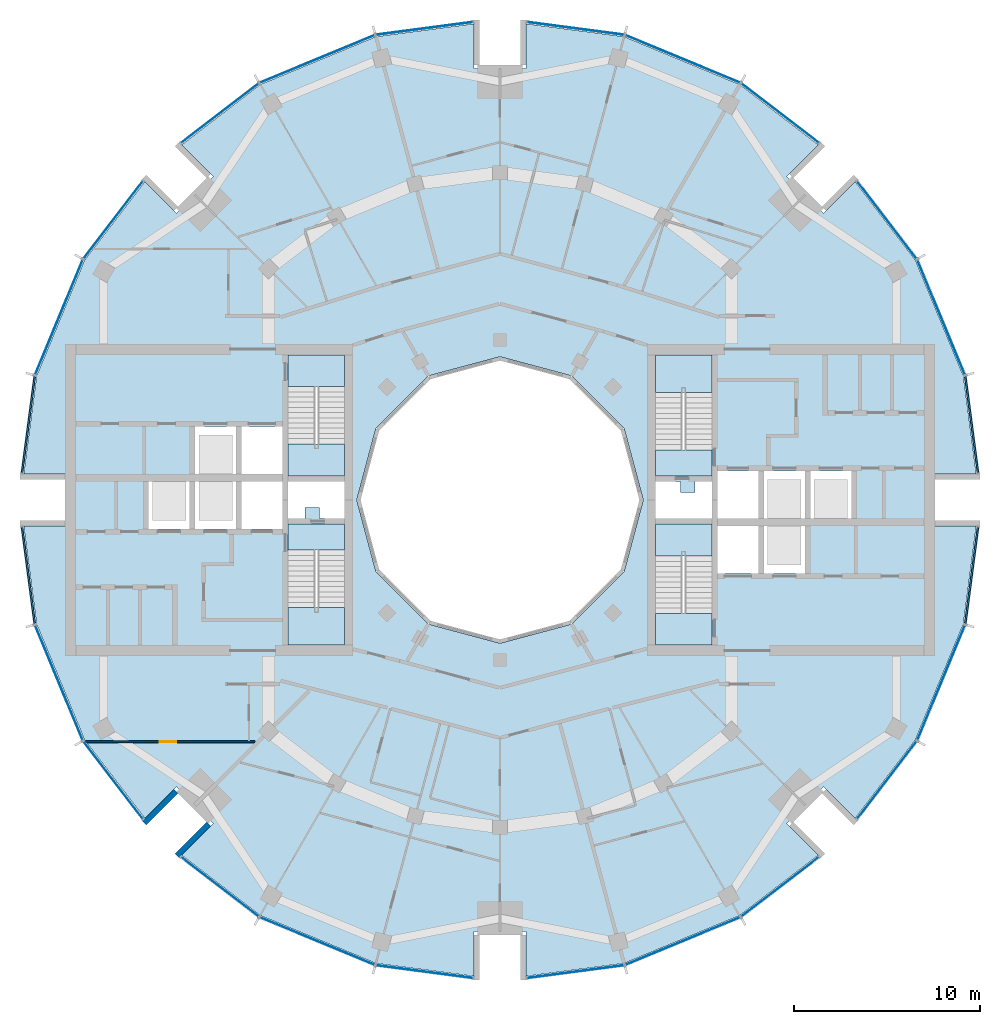
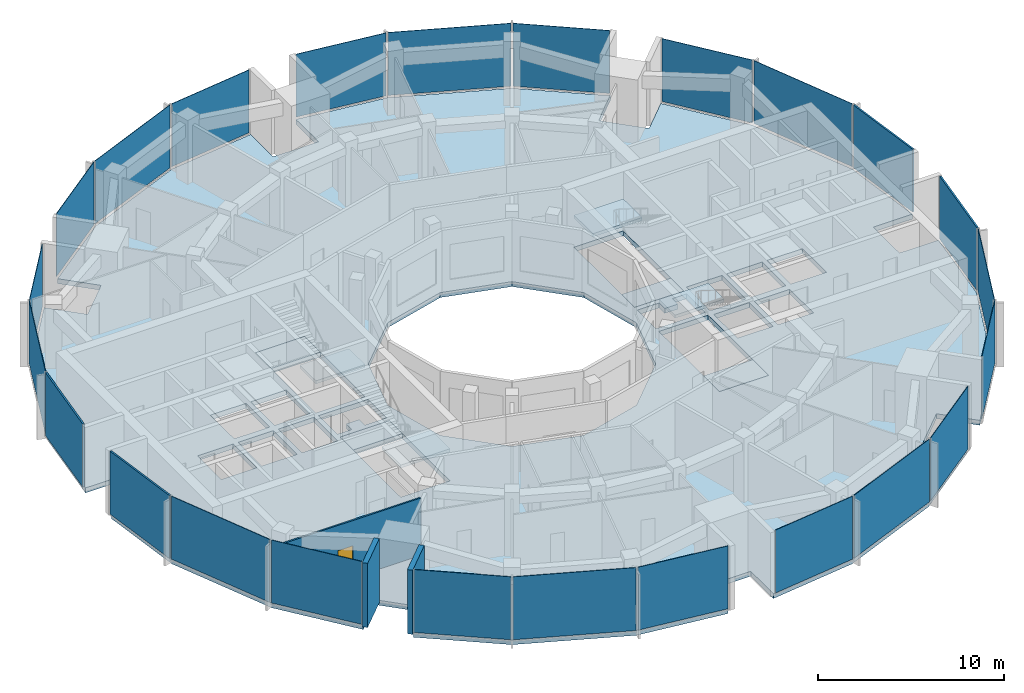
# One storey, part 7 of 15: 24 plates, 9 slabs, 3 walls, 1 door, 1 opening, 28 elements without a shape of their own.
"""IFC4 building model written with IfcOpenShell, lengths in metres."""

from ifc_helpers import new_model, si_unit, direction, frame, frame_2d, origin, origin_2d, place, context, subcontext, project, spatial, polyline, rectangle, outline, extrude, material, layer, layer_set, type_object, element, fill, aggregate, save


model = new_model("IFC4")

# Units and contexts
model_context = context("Model", 3, precision=1e-05, world=origin(), true_north=direction((0.0, 1.0)))
body_context = subcontext(model_context, "Body", "Model", "MODEL_VIEW")
ifc_project = project(units=[si_unit("LENGTHUNIT", "METRE"), si_unit("AREAUNIT", "SQUARE_METRE"), si_unit("VOLUMEUNIT", "CUBIC_METRE"), si_unit("PLANEANGLEUNIT", "RADIAN"), si_unit("MASSUNIT", "GRAM", prefix="KILO")], contexts=[model_context])

# Site, building, storey
site_placement = place(None, origin())
site = spatial("IfcSite", under=ifc_project, at=site_placement, CompositionType="ELEMENT")
building_placement = place(site_placement, origin())
building = spatial("IfcBuilding", under=site, at=building_placement, Name="Torre Brocal", CompositionType="ELEMENT")
storey_placement = place(building_placement, frame((0.0, 0.0, 258.300048828125)))
storey = spatial("IfcBuildingStorey", under=building, at=storey_placement, Name="L59", CompositionType="ELEMENT", Elevation=258.300048828125)

# Curtain wall, plate
ifc_material_1 = material(Name="Aluminium and glass", Category="aluminium")
ifc_layer_1 = layer(ifc_material_1, 0.199951171875)
ifc_layer_set_1 = layer_set([ifc_layer_1], Name="Aluminium and glass")
curtain_wall_type_1 = type_object("IfcCurtainWallType", Name="CW-1 CURTAIN WALL 4200 HIGH", PredefinedType="NOTDEFINED", material=ifc_layer_set_1)
curtain_wall_1_placement = place(storey_placement, origin())
curtain_wall_1 = element("IfcCurtainWall", 1, at=curtain_wall_1_placement, inside=storey, type_object=curtain_wall_type_1, Name="CW-1 RUN 2", PredefinedType="NOTDEFINED")
ifc_material_2 = material(Name="Glass, dark tinted laminated", Category="glass")
ifc_layer_2 = layer(ifc_material_2, 0.031982421875)
ifc_layer_set_2 = layer_set([ifc_layer_2], Name="Glass, dark tinted laminated")
plate_type_1 = type_object("IfcPlateType", Name="CW-1 GLASS PANEL 32", PredefinedType="CURTAIN_PANEL", material=ifc_layer_set_2)
plate_1_placement = place(storey_placement, frame((103.722900390625, 84.826416015625, 0.079833984375), z_axis=(0.0, 0.0, 1.0), x_axis=(-0.382683432333, 0.923879532525, 0.0)))
plate_1 = element("IfcPlate", 2, at=plate_1_placement, type_object=plate_type_1, Name="CW1-5 panel 1.1", PredefinedType="CURTAIN_PANEL", context=body_context, shape_type="SweptSolid", body=[
    extrude(rectangle(XDim=6.64111328125, YDim=0.031982421875, at=origin_2d()), origin(), (0.0, 0.0, 1.0), 4.1201171875),
])
aggregate(curtain_wall_1, [plate_1])

curtain_wall_2_placement = place(storey_placement, origin())
curtain_wall_2 = element("IfcCurtainWall", 3, at=curtain_wall_2_placement, inside=storey, type_object=curtain_wall_type_1, Name="CW-1 RUN 3", PredefinedType="NOTDEFINED")
plate_2_placement = place(storey_placement, frame((100.80126953125, 90.0712890625, 0.079833984375), z_axis=(0.0, 0.0, 1.0), x_axis=(-0.60876142905, 0.793353340259, 0.0)))
plate_2 = element("IfcPlate", 4, at=plate_2_placement, type_object=plate_type_1, Name="CW1-5 panel 1.1", PredefinedType="CURTAIN_PANEL", context=body_context, shape_type="SweptSolid", body=[
    extrude(rectangle(XDim=5.22900390625, YDim=0.031982421875, at=origin_2d()), origin(), (0.0, 0.0, 1.0), 4.1201171875),
])
aggregate(curtain_wall_2, [plate_2])

curtain_wall_3_placement = place(storey_placement, origin())
curtain_wall_3 = element("IfcCurtainWall", 5, at=curtain_wall_3_placement, inside=storey, type_object=curtain_wall_type_1, Name="CW-1 RUN 4", PredefinedType="NOTDEFINED")
plate_3_placement = place(storey_placement, frame((95.0712890625, 95.80126953125, 0.079833984375), z_axis=(0.0, 0.0, 1.0), x_axis=(-0.793353340259, 0.60876142905, 0.0)))
plate_3 = element("IfcPlate", 6, at=plate_3_placement, type_object=plate_type_1, Name="CW1-5 panel 1.1", PredefinedType="CURTAIN_PANEL", context=body_context, shape_type="SweptSolid", body=[
    extrude(rectangle(XDim=5.22900390625, YDim=0.031982421875, at=origin_2d()), origin(), (0.0, 0.0, 1.0), 4.1201171875),
])
aggregate(curtain_wall_3, [plate_3])

curtain_wall_4_placement = place(storey_placement, origin())
curtain_wall_4 = element("IfcCurtainWall", 7, at=curtain_wall_4_placement, inside=storey, type_object=curtain_wall_type_1, Name="CW-1 RUN 5", PredefinedType="NOTDEFINED")
plate_4_placement = place(storey_placement, frame((89.826416015625, 98.722900390625, 0.079833984375), z_axis=(0.0, 0.0, 1.0), x_axis=(-0.923879532525, 0.382683432333, 0.0)))
plate_4 = element("IfcPlate", 8, at=plate_4_placement, type_object=plate_type_1, Name="CW1-5 panel 1.1", PredefinedType="CURTAIN_PANEL", context=body_context, shape_type="SweptSolid", body=[
    extrude(rectangle(XDim=6.64111328125, YDim=0.031982421875, at=origin_2d()), origin(), (0.0, 0.0, 1.0), 4.1201171875),
])
aggregate(curtain_wall_4, [plate_4])

curtain_wall_5_placement = place(storey_placement, origin())
curtain_wall_5 = element("IfcCurtainWall", 9, at=curtain_wall_5_placement, inside=storey, type_object=curtain_wall_type_1, Name="CW-1 RUN 6", PredefinedType="NOTDEFINED")
plate_5_placement = place(storey_placement, frame((84.051513671875, 100.36572265625, 0.079833984375), z_axis=(0.0, 0.0, 1.0), x_axis=(-0.991444861374, 0.13052619222, 0.0)))
plate_5 = element("IfcPlate", 10, at=plate_5_placement, type_object=plate_type_1, Name="CW1-5 panel 1.1", PredefinedType="CURTAIN_PANEL", context=body_context, shape_type="SweptSolid", body=[
    extrude(rectangle(XDim=5.22900390625, YDim=0.031982421875, at=origin_2d()), origin(), (0.0, 0.0, 1.0), 4.1201171875),
])
aggregate(curtain_wall_5, [plate_5])

curtain_wall_6_placement = place(storey_placement, origin())
curtain_wall_6 = element("IfcCurtainWall", 11, at=curtain_wall_6_placement, inside=storey, type_object=curtain_wall_type_1, Name="CW-1 RUN 7", PredefinedType="NOTDEFINED")
plate_6_placement = place(storey_placement, frame((75.948486328125, 100.36572265625, 0.079833984375), z_axis=(0.0, 0.0, 1.0), x_axis=(-0.991444861374, -0.13052619222, 0.0)))
plate_6 = element("IfcPlate", 12, at=plate_6_placement, type_object=plate_type_1, Name="CW1-5 panel 1.1", PredefinedType="CURTAIN_PANEL", context=body_context, shape_type="SweptSolid", body=[
    extrude(rectangle(XDim=5.22900390625, YDim=0.031982421875, at=origin_2d()), origin(), (0.0, 0.0, 1.0), 4.1201171875),
])
aggregate(curtain_wall_6, [plate_6])

curtain_wall_7_placement = place(storey_placement, origin())
curtain_wall_7 = element("IfcCurtainWall", 13, at=curtain_wall_7_placement, inside=storey, type_object=curtain_wall_type_1, Name="CW-1 RUN 8", PredefinedType="NOTDEFINED")
plate_7_placement = place(storey_placement, frame((70.173583984375, 98.722900390625, 0.079833984375), z_axis=(0.0, 0.0, 1.0), x_axis=(-0.923879532525, -0.382683432333, 0.0)))
plate_7 = element("IfcPlate", 14, at=plate_7_placement, type_object=plate_type_1, Name="CW1-5 panel 1.1", PredefinedType="CURTAIN_PANEL", context=body_context, shape_type="SweptSolid", body=[
    extrude(rectangle(XDim=6.64111328125, YDim=0.031982421875, at=origin_2d()), origin(), (0.0, 0.0, 1.0), 4.1201171875),
])
aggregate(curtain_wall_7, [plate_7])

curtain_wall_8_placement = place(storey_placement, origin())
curtain_wall_8 = element("IfcCurtainWall", 15, at=curtain_wall_8_placement, inside=storey, type_object=curtain_wall_type_1, Name="CW-1 RUN 9", PredefinedType="NOTDEFINED")
plate_8_placement = place(storey_placement, frame((64.9287109375, 95.80126953125, 0.079833984375), z_axis=(0.0, 0.0, 1.0), x_axis=(-0.793353340259, -0.60876142905, 0.0)))
plate_8 = element("IfcPlate", 16, at=plate_8_placement, type_object=plate_type_1, Name="CW1-5 panel 1.1", PredefinedType="CURTAIN_PANEL", context=body_context, shape_type="SweptSolid", body=[
    extrude(rectangle(XDim=5.22900390625, YDim=0.031982421875, at=origin_2d()), origin(), (0.0, 0.0, 1.0), 4.1201171875),
])
aggregate(curtain_wall_8, [plate_8])

curtain_wall_9_placement = place(storey_placement, origin())
curtain_wall_9 = element("IfcCurtainWall", 17, at=curtain_wall_9_placement, inside=storey, type_object=curtain_wall_type_1, Name="CW-1 RUN 10", PredefinedType="NOTDEFINED")
plate_9_placement = place(storey_placement, frame((59.19873046875, 90.0712890625, 0.079833984375), z_axis=(0.0, 0.0, 1.0), x_axis=(-0.60876142905, -0.793353340259, 0.0)))
plate_9 = element("IfcPlate", 18, at=plate_9_placement, type_object=plate_type_1, Name="CW1-5 panel 1.1", PredefinedType="CURTAIN_PANEL", context=body_context, shape_type="SweptSolid", body=[
    extrude(rectangle(XDim=5.22900390625, YDim=0.031982421875, at=origin_2d()), origin(), (0.0, 0.0, 1.0), 4.1201171875),
])
aggregate(curtain_wall_9, [plate_9])

curtain_wall_10_placement = place(storey_placement, origin())
curtain_wall_10 = element("IfcCurtainWall", 19, at=curtain_wall_10_placement, inside=storey, type_object=curtain_wall_type_1, Name="CW-1 RUN 11", PredefinedType="NOTDEFINED")
plate_10_placement = place(storey_placement, frame((56.277099609375, 84.826416015625, 0.079833984375), z_axis=(0.0, 0.0, 1.0), x_axis=(-0.382683432333, -0.923879532525, 0.0)))
plate_10 = element("IfcPlate", 20, at=plate_10_placement, type_object=plate_type_1, Name="CW1-5 panel 1.1", PredefinedType="CURTAIN_PANEL", context=body_context, shape_type="SweptSolid", body=[
    extrude(rectangle(XDim=6.64111328125, YDim=0.031982421875, at=origin_2d()), origin(), (0.0, 0.0, 1.0), 4.1201171875),
])
aggregate(curtain_wall_10, [plate_10])

curtain_wall_11_placement = place(storey_placement, origin())
curtain_wall_11 = element("IfcCurtainWall", 21, at=curtain_wall_11_placement, inside=storey, type_object=curtain_wall_type_1, Name="CW-1 RUN 14", PredefinedType="NOTDEFINED")
plate_11_placement = place(storey_placement, frame((56.277099609375, 65.173583984375, 0.079833984375), z_axis=(0.0, 0.0, 1.0), x_axis=(0.382683432333, -0.923879532525, 0.0)))
plate_11 = element("IfcPlate", 22, at=plate_11_placement, type_object=plate_type_1, Name="CW1-5 panel 1.1", PredefinedType="CURTAIN_PANEL", context=body_context, shape_type="SweptSolid", body=[
    extrude(rectangle(XDim=6.64111328125, YDim=0.031982421875, at=origin_2d()), origin(), (0.0, 0.0, 1.0), 4.1201171875),
])
aggregate(curtain_wall_11, [plate_11])

curtain_wall_12_placement = place(storey_placement, origin())
curtain_wall_12 = element("IfcCurtainWall", 23, at=curtain_wall_12_placement, inside=storey, type_object=curtain_wall_type_1, Name="CW-1 RUN 15", PredefinedType="NOTDEFINED")
plate_12_placement = place(storey_placement, frame((59.19873046875, 59.9287109375, 0.079833984375), z_axis=(0.0, 0.0, 1.0), x_axis=(0.60876142905, -0.793353340259, 0.0)))
plate_12 = element("IfcPlate", 24, at=plate_12_placement, type_object=plate_type_1, Name="CW1-5 panel 1.1", PredefinedType="CURTAIN_PANEL", context=body_context, shape_type="SweptSolid", body=[
    extrude(rectangle(XDim=5.22900390625, YDim=0.031982421875, at=origin_2d()), origin(), (0.0, 0.0, 1.0), 4.1201171875),
])
aggregate(curtain_wall_12, [plate_12])

curtain_wall_13_placement = place(storey_placement, origin())
curtain_wall_13 = element("IfcCurtainWall", 25, at=curtain_wall_13_placement, inside=storey, type_object=curtain_wall_type_1, Name="CW-1 RUN 16", PredefinedType="NOTDEFINED")
plate_13_placement = place(storey_placement, frame((64.9287109375, 54.19873046875, 0.079833984375), z_axis=(0.0, 0.0, 1.0), x_axis=(0.793353340259, -0.60876142905, 0.0)))
plate_13 = element("IfcPlate", 26, at=plate_13_placement, type_object=plate_type_1, Name="CW1-5 panel 1.1", PredefinedType="CURTAIN_PANEL", context=body_context, shape_type="SweptSolid", body=[
    extrude(rectangle(XDim=5.22900390625, YDim=0.031982421875, at=origin_2d()), origin(), (0.0, 0.0, 1.0), 4.1201171875),
])
aggregate(curtain_wall_13, [plate_13])

curtain_wall_14_placement = place(storey_placement, origin())
curtain_wall_14 = element("IfcCurtainWall", 27, at=curtain_wall_14_placement, inside=storey, type_object=curtain_wall_type_1, Name="CW-1 RUN 17", PredefinedType="NOTDEFINED")
plate_14_placement = place(storey_placement, frame((70.173583984375, 51.277099609375, 0.079833984375), z_axis=(0.0, 0.0, 1.0), x_axis=(0.923879532525, -0.382683432333, 0.0)))
plate_14 = element("IfcPlate", 28, at=plate_14_placement, type_object=plate_type_1, Name="CW1-5 panel 1.1", PredefinedType="CURTAIN_PANEL", context=body_context, shape_type="SweptSolid", body=[
    extrude(rectangle(XDim=6.64111328125, YDim=0.031982421875, at=origin_2d()), origin(), (0.0, 0.0, 1.0), 4.1201171875),
])
aggregate(curtain_wall_14, [plate_14])

curtain_wall_15_placement = place(storey_placement, origin())
curtain_wall_15 = element("IfcCurtainWall", 29, at=curtain_wall_15_placement, inside=storey, type_object=curtain_wall_type_1, Name="CW-1 RUN 18", PredefinedType="NOTDEFINED")
plate_15_placement = place(storey_placement, frame((75.948486328125, 49.63427734375, 0.079833984375), z_axis=(0.0, 0.0, 1.0), x_axis=(0.991444861374, -0.13052619222, 0.0)))
plate_15 = element("IfcPlate", 30, at=plate_15_placement, type_object=plate_type_1, Name="CW1-5 panel 1.1", PredefinedType="CURTAIN_PANEL", context=body_context, shape_type="SweptSolid", body=[
    extrude(rectangle(XDim=5.22900390625, YDim=0.031982421875, at=origin_2d()), origin(), (0.0, 0.0, 1.0), 4.1201171875),
])
aggregate(curtain_wall_15, [plate_15])

curtain_wall_16_placement = place(storey_placement, origin())
curtain_wall_16 = element("IfcCurtainWall", 31, at=curtain_wall_16_placement, inside=storey, type_object=curtain_wall_type_1, Name="CW-1 RUN 19", PredefinedType="NOTDEFINED")
plate_16_placement = place(storey_placement, frame((84.051513671875, 49.63427734375, 0.079833984375), z_axis=(0.0, 0.0, 1.0), x_axis=(0.991444861374, 0.13052619222, 0.0)))
plate_16 = element("IfcPlate", 32, at=plate_16_placement, type_object=plate_type_1, Name="CW1-5 panel 1.1", PredefinedType="CURTAIN_PANEL", context=body_context, shape_type="SweptSolid", body=[
    extrude(rectangle(XDim=5.22900390625, YDim=0.031982421875, at=origin_2d()), origin(), (0.0, 0.0, 1.0), 4.1201171875),
])
aggregate(curtain_wall_16, [plate_16])

curtain_wall_17_placement = place(storey_placement, origin())
curtain_wall_17 = element("IfcCurtainWall", 33, at=curtain_wall_17_placement, inside=storey, type_object=curtain_wall_type_1, Name="CW-1 RUN 20", PredefinedType="NOTDEFINED")
plate_17_placement = place(storey_placement, frame((89.826416015625, 51.277099609375, 0.079833984375), z_axis=(0.0, 0.0, 1.0), x_axis=(0.923879532525, 0.382683432333, 0.0)))
plate_17 = element("IfcPlate", 34, at=plate_17_placement, type_object=plate_type_1, Name="CW1-5 panel 1.1", PredefinedType="CURTAIN_PANEL", context=body_context, shape_type="SweptSolid", body=[
    extrude(rectangle(XDim=6.64111328125, YDim=0.031982421875, at=origin_2d()), origin(), (0.0, 0.0, 1.0), 4.1201171875),
])
aggregate(curtain_wall_17, [plate_17])

curtain_wall_18_placement = place(storey_placement, origin())
curtain_wall_18 = element("IfcCurtainWall", 35, at=curtain_wall_18_placement, inside=storey, type_object=curtain_wall_type_1, Name="CW-1 RUN 21", PredefinedType="NOTDEFINED")
plate_18_placement = place(storey_placement, frame((95.0712890625, 54.19873046875, 0.079833984375), z_axis=(0.0, 0.0, 1.0), x_axis=(0.793353340259, 0.60876142905, 0.0)))
plate_18 = element("IfcPlate", 36, at=plate_18_placement, type_object=plate_type_1, Name="CW1-5 panel 1.1", PredefinedType="CURTAIN_PANEL", context=body_context, shape_type="SweptSolid", body=[
    extrude(rectangle(XDim=5.22900390625, YDim=0.031982421875, at=origin_2d()), origin(), (0.0, 0.0, 1.0), 4.1201171875),
])
aggregate(curtain_wall_18, [plate_18])

curtain_wall_19_placement = place(storey_placement, origin())
curtain_wall_19 = element("IfcCurtainWall", 37, at=curtain_wall_19_placement, inside=storey, type_object=curtain_wall_type_1, Name="CW-1 RUN 22", PredefinedType="NOTDEFINED")
plate_19_placement = place(storey_placement, frame((100.80126953125, 59.9287109375, 0.079833984375), z_axis=(0.0, 0.0, 1.0), x_axis=(0.60876142905, 0.793353340259, 0.0)))
plate_19 = element("IfcPlate", 38, at=plate_19_placement, type_object=plate_type_1, Name="CW1-5 panel 1.1", PredefinedType="CURTAIN_PANEL", context=body_context, shape_type="SweptSolid", body=[
    extrude(rectangle(XDim=5.22900390625, YDim=0.031982421875, at=origin_2d()), origin(), (0.0, 0.0, 1.0), 4.1201171875),
])
aggregate(curtain_wall_19, [plate_19])

curtain_wall_20_placement = place(storey_placement, origin())
curtain_wall_20 = element("IfcCurtainWall", 39, at=curtain_wall_20_placement, inside=storey, type_object=curtain_wall_type_1, Name="CW-1 RUN 23", PredefinedType="NOTDEFINED")
plate_20_placement = place(storey_placement, frame((103.722900390625, 65.173583984375, 0.079833984375), z_axis=(0.0, 0.0, 1.0), x_axis=(0.382683432333, 0.923879532525, 0.0)))
plate_20 = element("IfcPlate", 40, at=plate_20_placement, type_object=plate_type_1, Name="CW1-5 panel 1.1", PredefinedType="CURTAIN_PANEL", context=body_context, shape_type="SweptSolid", body=[
    extrude(rectangle(XDim=6.64111328125, YDim=0.031982421875, at=origin_2d()), origin(), (0.0, 0.0, 1.0), 4.1201171875),
])
aggregate(curtain_wall_20, [plate_20])

ifc_material_3 = material(Name="Aluminium and glass", Category="aluminium")
ifc_layer_3 = layer(ifc_material_3, 0.199951171875)
ifc_layer_set_3 = layer_set([ifc_layer_3], Name="Aluminium and glass")
curtain_wall_type_2 = type_object("IfcCurtainWallType", Name="CW-1B CURTAIN WALL 4200 HIGH", PredefinedType="NOTDEFINED", material=ifc_layer_set_3)
curtain_wall_21_placement = place(storey_placement, origin())
curtain_wall_21 = element("IfcCurtainWall", 41, at=curtain_wall_21_placement, inside=storey, type_object=curtain_wall_type_2, Name="CW-1B RUN 1", PredefinedType="NOTDEFINED")
ifc_material_4 = material(Name="Aluminium composite panel", Category="aluminium")
ifc_layer_4 = layer(ifc_material_4, 0.10009765625)
ifc_layer_set_4 = layer_set([ifc_layer_4], Name="Aluminium composite panel")
plate_type_2 = type_object("IfcPlateType", Name="CW-1B OPAQUE PANEL 100", PredefinedType="CURTAIN_PANEL", material=ifc_layer_set_4)
plate_21_placement = place(storey_placement, frame((105.36572265625, 79.051513671875, 0.079833984375), z_axis=(0.0, 0.0, 1.0), x_axis=(-0.13052619222, 0.991444861374, 0.0)))
plate_21 = element("IfcPlate", 42, at=plate_21_placement, type_object=plate_type_2, Name="CW1B-5 panel 1.1", PredefinedType="CURTAIN_PANEL", context=body_context, shape_type="SweptSolid", body=[
    extrude(rectangle(XDim=5.22900390625, YDim=0.10009765625, at=origin_2d()), origin(), (0.0, 0.0, 1.0), 4.1201171875),
])
aggregate(curtain_wall_21, [plate_21])

curtain_wall_22_placement = place(storey_placement, origin())
curtain_wall_22 = element("IfcCurtainWall", 43, at=curtain_wall_22_placement, inside=storey, type_object=curtain_wall_type_2, Name="CW-1B RUN 12", PredefinedType="NOTDEFINED")
plate_22_placement = place(storey_placement, frame((54.63427734375, 79.051513671875, 0.079833984375), z_axis=(0.0, 0.0, 1.0), x_axis=(-0.13052619222, -0.991444861374, 0.0)))
plate_22 = element("IfcPlate", 44, at=plate_22_placement, type_object=plate_type_2, Name="CW1B-5 panel 1.1", PredefinedType="CURTAIN_PANEL", context=body_context, shape_type="SweptSolid", body=[
    extrude(rectangle(XDim=5.22900390625, YDim=0.10009765625, at=origin_2d()), origin(), (0.0, 0.0, 1.0), 4.1201171875),
])
aggregate(curtain_wall_22, [plate_22])

curtain_wall_23_placement = place(storey_placement, origin())
curtain_wall_23 = element("IfcCurtainWall", 45, at=curtain_wall_23_placement, inside=storey, type_object=curtain_wall_type_2, Name="CW-1B RUN 13", PredefinedType="NOTDEFINED")
plate_23_placement = place(storey_placement, frame((54.63427734375, 70.948486328125, 0.079833984375), z_axis=(0.0, 0.0, 1.0), x_axis=(0.13052619222, -0.991444861374, 0.0)))
plate_23 = element("IfcPlate", 46, at=plate_23_placement, type_object=plate_type_2, Name="CW1B-5 panel 1.1", PredefinedType="CURTAIN_PANEL", context=body_context, shape_type="SweptSolid", body=[
    extrude(rectangle(XDim=5.22900390625, YDim=0.10009765625, at=origin_2d()), origin(), (0.0, 0.0, 1.0), 4.1201171875),
])
aggregate(curtain_wall_23, [plate_23])

curtain_wall_24_placement = place(storey_placement, origin())
curtain_wall_24 = element("IfcCurtainWall", 47, at=curtain_wall_24_placement, inside=storey, type_object=curtain_wall_type_2, Name="CW-1B RUN 24", PredefinedType="NOTDEFINED")
plate_24_placement = place(storey_placement, frame((105.36572265625, 70.948486328125, 0.079833984375), z_axis=(0.0, 0.0, 1.0), x_axis=(0.13052619222, 0.991444861374, 0.0)))
plate_24 = element("IfcPlate", 48, at=plate_24_placement, type_object=plate_type_2, Name="CW1B-5 panel 1.1", PredefinedType="CURTAIN_PANEL", context=body_context, shape_type="SweptSolid", body=[
    extrude(rectangle(XDim=5.22900390625, YDim=0.10009765625, at=origin_2d()), origin(), (0.0, 0.0, 1.0), 4.1201171875),
])
aggregate(curtain_wall_24, [plate_24])

# Stair, slab
ifc_material_5 = material(Name="Concrete C50", Category="concrete")
stair_type = type_object("IfcStairType", Name="EXIT STAIR", PredefinedType="HALF_TURN_STAIR", material=ifc_material_5)
stair_1_placement = place(storey_placement, origin())
stair_1 = element("IfcStair", 49, at=stair_1_placement, inside=storey, type_object=stair_type, Name="EXIT STAIR ST1", PredefinedType="HALF_TURN_STAIR")
ifc_material_6 = material(Name="Concrete C50", Category="concrete")
ifc_layer_5 = layer(ifc_material_6, 0.320068359375)
ifc_layer_set_5 = layer_set([ifc_layer_5], Name="Concrete C50")
slab_type_1 = type_object("IfcSlabType", Name="FLOOR LANDING 320", PredefinedType="LANDING", material=ifc_layer_set_5)
slab_1_placement = place(storey_placement, frame((0.0, 0.0, -0.320068359375)))
slab_1 = element("IfcSlab", 50, at=slab_1_placement, type_object=slab_type_1, Name="ST1 landing 1", PredefinedType="LANDING", context=body_context, shape_type="SweptSolid", body=[
    extrude(outline(polyline([(88.35009765625, 76.300048828125), (91.39990234375, 76.300048828125), (91.39990234375, 77.699951171875), (88.35009765625, 77.699951171875), (88.35009765625, 76.300048828125)])), origin(), (0.0, 0.0, 1.0), 0.320068359375),
])

stair_2_placement = place(storey_placement, origin())
stair_2 = element("IfcStair", 51, at=stair_2_placement, inside=storey, type_object=stair_type, Name="EXIT STAIR ST2", PredefinedType="HALF_TURN_STAIR")
slab_2_placement = place(storey_placement, frame((0.0, 0.0, -0.320068359375)))
slab_2 = element("IfcSlab", 52, at=slab_2_placement, type_object=slab_type_1, Name="ST2 landing 1", PredefinedType="LANDING", context=body_context, shape_type="SweptSolid", body=[
    extrude(outline(polyline([(88.35009765625, 67.199951171875), (91.39990234375, 67.199951171875), (91.39990234375, 68.89990234375), (88.35009765625, 68.89990234375), (88.35009765625, 67.199951171875)])), origin(), (0.0, 0.0, 1.0), 0.320068359375),
])

stair_3_placement = place(storey_placement, origin())
stair_3 = element("IfcStair", 53, at=stair_3_placement, inside=storey, type_object=stair_type, Name="EXIT STAIR ST3", PredefinedType="HALF_TURN_STAIR")
slab_3_placement = place(storey_placement, frame((0.0, 0.0, -0.320068359375)))
slab_3 = element("IfcSlab", 54, at=slab_3_placement, type_object=slab_type_1, Name="ST3 landing 1", PredefinedType="LANDING", context=body_context, shape_type="SweptSolid", body=[
    extrude(outline(polyline([(71.64990234375, 73.699951171875), (68.60009765625, 73.699951171875), (68.60009765625, 72.300048828125), (71.64990234375, 72.300048828125), (71.64990234375, 73.699951171875)])), origin(), (0.0, 0.0, 1.0), 0.320068359375),
])

stair_4_placement = place(storey_placement, origin())
stair_4 = element("IfcStair", 55, at=stair_4_placement, inside=storey, type_object=stair_type, Name="EXIT STAIR ST4", PredefinedType="HALF_TURN_STAIR")
slab_4_placement = place(storey_placement, frame((0.0, 0.0, -0.320068359375)))
slab_4 = element("IfcSlab", 56, at=slab_4_placement, type_object=slab_type_1, Name="ST4 landing 1", PredefinedType="LANDING", context=body_context, shape_type="SweptSolid", body=[
    extrude(outline(polyline([(71.64990234375, 82.800048828125), (68.60009765625, 82.800048828125), (68.60009765625, 81.10009765625), (71.64990234375, 81.10009765625), (71.64990234375, 82.800048828125)])), origin(), (0.0, 0.0, 1.0), 0.320068359375),
])

# Slab
ifc_material_7 = material(Name="Concrete C50", Category="concrete")
ifc_layer_6 = layer(ifc_material_7, 0.199951171875)
ifc_layer_set_6 = layer_set([ifc_layer_6], Name="Concrete C50")
slab_type_2 = type_object("IfcSlabType", Name="MID LANDING +2100", PredefinedType="LANDING", material=ifc_layer_set_6)
slab_5_placement = place(storey_placement, frame((0.0, 0.0, 1.89990234375)))
slab_5 = element("IfcSlab", 57, at=slab_5_placement, type_object=slab_type_2, Name="ST1 landing 2", PredefinedType="LANDING", context=body_context, shape_type="SweptSolid", body=[
    extrude(outline(polyline([(88.35009765625, 80.780029296875), (91.39990234375, 80.780029296875), (91.39990234375, 82.800048828125), (88.35009765625, 82.800048828125), (88.35009765625, 80.780029296875)])), origin(), (0.0, 0.0, 1.0), 0.199951171875),
])

aggregate(stair_1, [slab_1, slab_5])

slab_6_placement = place(storey_placement, frame((0.0, 0.0, 1.89990234375)))
slab_6 = element("IfcSlab", 58, at=slab_6_placement, type_object=slab_type_2, Name="ST2 landing 2", PredefinedType="LANDING", context=body_context, shape_type="SweptSolid", body=[
    extrude(outline(polyline([(88.35009765625, 71.97998046875), (91.39990234375, 71.97998046875), (91.39990234375, 73.699951171875), (88.35009765625, 73.699951171875), (88.35009765625, 71.97998046875)])), origin(), (0.0, 0.0, 1.0), 0.199951171875),
])

aggregate(stair_2, [slab_2, slab_6])

slab_7_placement = place(storey_placement, frame((0.0, 0.0, 1.89990234375)))
slab_7 = element("IfcSlab", 59, at=slab_7_placement, type_object=slab_type_2, Name="ST3 landing 2", PredefinedType="LANDING", context=body_context, shape_type="SweptSolid", body=[
    extrude(outline(polyline([(71.64990234375, 69.219970703125), (68.60009765625, 69.219970703125), (68.60009765625, 67.199951171875), (71.64990234375, 67.199951171875), (71.64990234375, 69.219970703125)])), origin(), (0.0, 0.0, 1.0), 0.199951171875),
])

aggregate(stair_3, [slab_3, slab_7])

slab_8_placement = place(storey_placement, frame((0.0, 0.0, 1.89990234375)))
slab_8 = element("IfcSlab", 60, at=slab_8_placement, type_object=slab_type_2, Name="ST4 landing 2", PredefinedType="LANDING", context=body_context, shape_type="SweptSolid", body=[
    extrude(outline(polyline([(71.64990234375, 78.02001953125), (68.60009765625, 78.02001953125), (68.60009765625, 76.300048828125), (71.64990234375, 76.300048828125), (71.64990234375, 78.02001953125)])), origin(), (0.0, 0.0, 1.0), 0.199951171875),
])

aggregate(stair_4, [slab_4, slab_8])

ifc_material_8 = material(Name="Concrete C45", Category="concrete")
ifc_layer_7 = layer(ifc_material_8, 0.320068359375)
ifc_layer_set_7 = layer_set([ifc_layer_7], Name="Concrete C45")
slab_type_3 = type_object("IfcSlabType", Name="PT FLOOR SLAB 320 C45", PredefinedType="FLOOR", material=ifc_layer_set_7)
slab_9_placement = place(storey_placement, frame((0.0, 0.0, -0.320068359375)))
element("IfcSlab", 61, at=slab_9_placement, inside=storey, type_object=slab_type_3, Name="Slab ST-05", PredefinedType="FLOOR", context=body_context, shape_type="SweptSolid", body=[
    extrude(outline(polyline([(103.199951171875, 76.39990234375), (103.199951171875, 73.60009765625), (105.614013671875, 73.60009765625), (104.919189453125, 68.322998046875), (102.342041015625, 62.100830078125), (99.101806640625, 57.878173828125), (97.394775390625, 59.5849609375), (95.4150390625, 57.605224609375), (97.121826171875, 55.898193359375), (92.899169921875, 52.657958984375), (86.677001953125, 50.080810546875), (81.39990234375, 49.385986328125), (81.39990234375, 51.800048828125), (78.60009765625, 51.800048828125), (78.60009765625, 49.385986328125), (73.322998046875, 50.080810546875), (67.100830078125, 52.657958984375), (62.878173828125, 55.898193359375), (64.5849609375, 57.605224609375), (62.605224609375, 59.5849609375), (60.898193359375, 57.878173828125), (57.657958984375, 62.100830078125), (55.080810546875, 68.322998046875), (54.385986328125, 73.60009765625), (56.800048828125, 73.60009765625), (56.800048828125, 76.39990234375), (54.385986328125, 76.39990234375), (55.080810546875, 81.677001953125), (57.657958984375, 87.899169921875), (60.898193359375, 92.121826171875), (62.605224609375, 90.4150390625), (64.5849609375, 92.394775390625), (62.878173828125, 94.101806640625), (67.100830078125, 97.342041015625), (73.322998046875, 99.919189453125), (78.60009765625, 100.614013671875), (78.60009765625, 98.199951171875), (81.39990234375, 98.199951171875), (81.39990234375, 100.614013671875), (86.677001953125, 99.919189453125), (92.899169921875, 97.342041015625), (97.121826171875, 94.101806640625), (95.4150390625, 92.394775390625), (97.394775390625, 90.4150390625), (99.101806640625, 92.121826171875), (102.342041015625, 87.899169921875), (104.919189453125, 81.677001953125), (105.614013671875, 76.39990234375), (103.199951171875, 76.39990234375)]), holes=[polyline([(98.89990234375, 76.550048828125), (96.699951171875, 76.550048828125), (96.699951171875, 74.0), (98.89990234375, 74.0), (98.89990234375, 76.550048828125)]), polyline([(96.39990234375, 76.550048828125), (94.199951171875, 76.550048828125), (94.199951171875, 74.0), (96.39990234375, 74.0), (96.39990234375, 76.550048828125)]), polyline([(96.39990234375, 73.60009765625), (94.199951171875, 73.60009765625), (94.199951171875, 71.050048828125), (96.39990234375, 71.050048828125), (96.39990234375, 73.60009765625)]), polyline([(93.89990234375, 76.550048828125), (91.699951171875, 76.550048828125), (91.699951171875, 74.0), (93.89990234375, 74.0), (93.89990234375, 76.550048828125)]), polyline([(93.89990234375, 73.60009765625), (91.699951171875, 73.60009765625), (91.699951171875, 71.050048828125), (93.89990234375, 71.050048828125), (93.89990234375, 73.60009765625)]), polyline([(89.699951171875, 76.0), (88.35009765625, 76.0), (88.35009765625, 74.0), (91.39990234375, 74.0), (91.39990234375, 76.0), (90.5, 76.0), (90.5, 75.39990234375), (89.699951171875, 75.39990234375), (89.699951171875, 76.0)]), polyline([(91.39990234375, 82.800048828125), (88.35009765625, 82.800048828125), (88.35009765625, 76.300048828125), (91.39990234375, 76.300048828125), (91.39990234375, 82.800048828125)]), polyline([(91.39990234375, 73.699951171875), (88.35009765625, 73.699951171875), (88.35009765625, 67.199951171875), (91.39990234375, 67.199951171875), (91.39990234375, 73.699951171875)]), polyline([(80.0, 82.70703125), (76.146484375, 81.674560546875), (73.325439453125, 78.853515625), (72.29296875, 75.0), (73.325439453125, 71.146484375), (76.146484375, 68.325439453125), (80.0, 67.29296875), (83.853515625, 68.325439453125), (86.674560546875, 71.146484375), (87.70703125, 75.0), (86.674560546875, 78.853515625), (83.853515625, 81.674560546875), (80.0, 82.70703125)]), polyline([(70.300048828125, 74.0), (71.64990234375, 74.0), (71.64990234375, 76.0), (68.60009765625, 76.0), (68.60009765625, 74.0), (69.5, 74.0), (69.5, 74.60009765625), (70.300048828125, 74.60009765625), (70.300048828125, 74.0)]), polyline([(68.60009765625, 76.300048828125), (71.64990234375, 76.300048828125), (71.64990234375, 82.800048828125), (68.60009765625, 82.800048828125), (68.60009765625, 76.300048828125)]), polyline([(68.60009765625, 67.199951171875), (71.64990234375, 67.199951171875), (71.64990234375, 73.699951171875), (68.60009765625, 73.699951171875), (68.60009765625, 67.199951171875)]), polyline([(66.10009765625, 76.39990234375), (68.300048828125, 76.39990234375), (68.300048828125, 78.949951171875), (66.10009765625, 78.949951171875), (66.10009765625, 76.39990234375)]), polyline([(66.10009765625, 73.449951171875), (68.300048828125, 73.449951171875), (68.300048828125, 76.0), (66.10009765625, 76.0), (66.10009765625, 73.449951171875)]), polyline([(63.60009765625, 76.39990234375), (65.800048828125, 76.39990234375), (65.800048828125, 78.949951171875), (63.60009765625, 78.949951171875), (63.60009765625, 76.39990234375)]), polyline([(63.60009765625, 73.449951171875), (65.800048828125, 73.449951171875), (65.800048828125, 76.0), (63.60009765625, 76.0), (63.60009765625, 73.449951171875)]), polyline([(61.10009765625, 73.449951171875), (63.300048828125, 73.449951171875), (63.300048828125, 76.0), (61.10009765625, 76.0), (61.10009765625, 73.449951171875)])]), origin(), (0.0, 0.0, 1.0), 0.320068359375),
])

# Walls
ifc_material_9 = material(Name="Concrete C60", Category="concrete")
ifc_layer_8 = layer(ifc_material_9, 0.300048828125)
ifc_layer_set_8 = layer_set([ifc_layer_8], Name="Concrete C60")
wall_type_1 = type_object("IfcWallType", Name="NOTCH RETURN WALL 300 C60", PredefinedType="NOTDEFINED", material=ifc_layer_set_8)
for number, where, z_axis, x_axis, name in (
    (62, (62.56982421875, 59.337646484375, 0.0), (0.0, 0.0, 1.0), (-0.707106781187, -0.707106781187, 0.0), "NOTCH RETURN WALL"),
    (63, (64.337646484375, 57.56982421875, 0.0), (0.0, 0.0, 1.0), (-0.707106781187, -0.707106781187, 0.0), "NOTCH RETURN WALL"),
):
    element("IfcWall", number, at=place(storey_placement, frame(where, z_axis=z_axis, x_axis=x_axis)), inside=storey, type_object=wall_type_1, Name=name, PredefinedType="NOTDEFINED", context=body_context, shape_type="SweptSolid", body=[
        extrude(rectangle(XDim=2.415771484375, YDim=0.300048828125, at=frame_2d((1.2080078125, 0.0))), origin(), (0.0, 0.0, 1.0), 4.199951171875),
    ])

# Wall, opening, door
ifc_material_10 = material(Name="Gypsum board", Category="Gypsum")
ifc_layer_9 = layer(ifc_material_10, 0.10009765625)
ifc_layer_set_9 = layer_set([ifc_layer_9], Name="Gypsum board")
wall_type_2 = type_object("IfcWallType", Name="PARTITION 100", PredefinedType="PARTITIONING", material=ifc_layer_set_9)
wall_placement = place(storey_placement, frame((57.668212890625, 62.0, 0.0), z_axis=(0.0, 0.0, 1.0), x_axis=(1.0, 0.0, 0.0)))
wall = element("IfcWall", 64, at=wall_placement, inside=storey, type_object=wall_type_2, Name="BATHROOM WALL", PredefinedType="PARTITIONING", context=body_context, shape_type="SweptSolid", body=[
    extrude(rectangle(XDim=9.15185546875, YDim=0.10009765625, at=frame_2d((4.575927734375, 0.0))), origin(), (0.0, 0.0, 1.0), 3.75),
])
opening_placement = place(wall_placement, frame((4.031494140625, 0.0, 0.0)))
opening = element("IfcOpeningElement", 65, at=opening_placement, cuts=wall, Name="Opening B04-D36", PredefinedType="OPENING", context=body_context, shape_type="SweptSolid", body=[
    extrude(rectangle(XDim=0.89990234375, YDim=2.10009765625, at=frame_2d((0.449951171875, 1.050048828125))), frame((0.0, 0.06005859375, 0.0), z_axis=(0.0, -1.0, 0.0), x_axis=(1.0, 0.0, 0.0)), (0.0, 0.0, 1.0), 0.1201171875),
])
ifc_material_11 = material(Name="Timber", Category="wood")
door_type = type_object("IfcDoorType", Name="ROOM DOOR 900X2100", OperationType="SINGLE_SWING_LEFT", PredefinedType="DOOR", material=ifc_material_11)
door_placement = place(opening_placement, origin())
door = element("IfcDoor", 66, at=door_placement, inside=storey, type_object=door_type, Name="B04-D36", OperationType="SINGLE_SWING_LEFT", OverallHeight=2.10009765625, OverallWidth=0.89990234375, PredefinedType="DOOR", context=body_context, shape_type="SweptSolid", body=[
    extrude(rectangle(XDim=0.89990234375, YDim=2.10009765625, at=frame_2d((0.449951171875, 1.050048828125))), frame((0.0, 0.02490234375, 0.0), z_axis=(0.0, -1.0, 0.0), x_axis=(1.0, 0.0, 0.0)), (0.0, 0.0, 1.0), 0.050048828125),
])
fill(opening, door)

save(model, "model.ifc")
